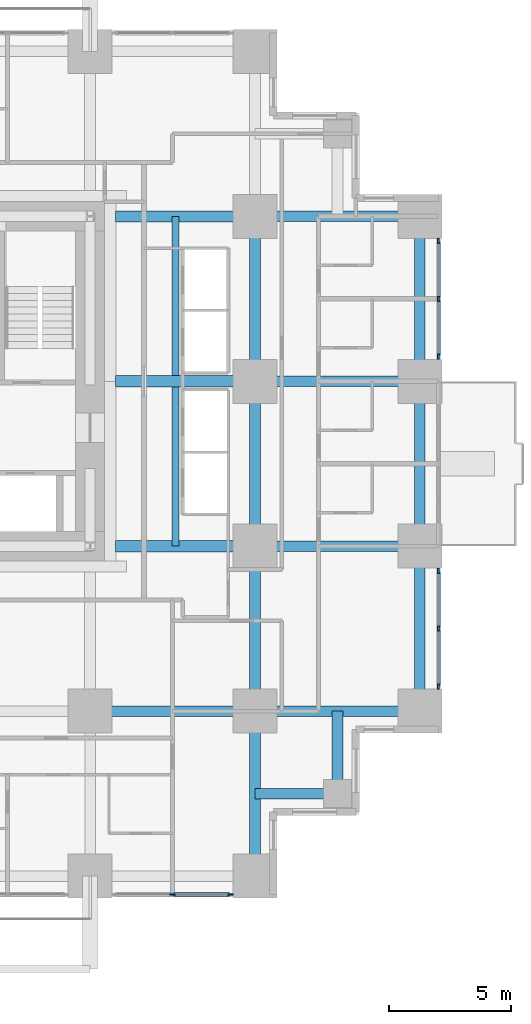
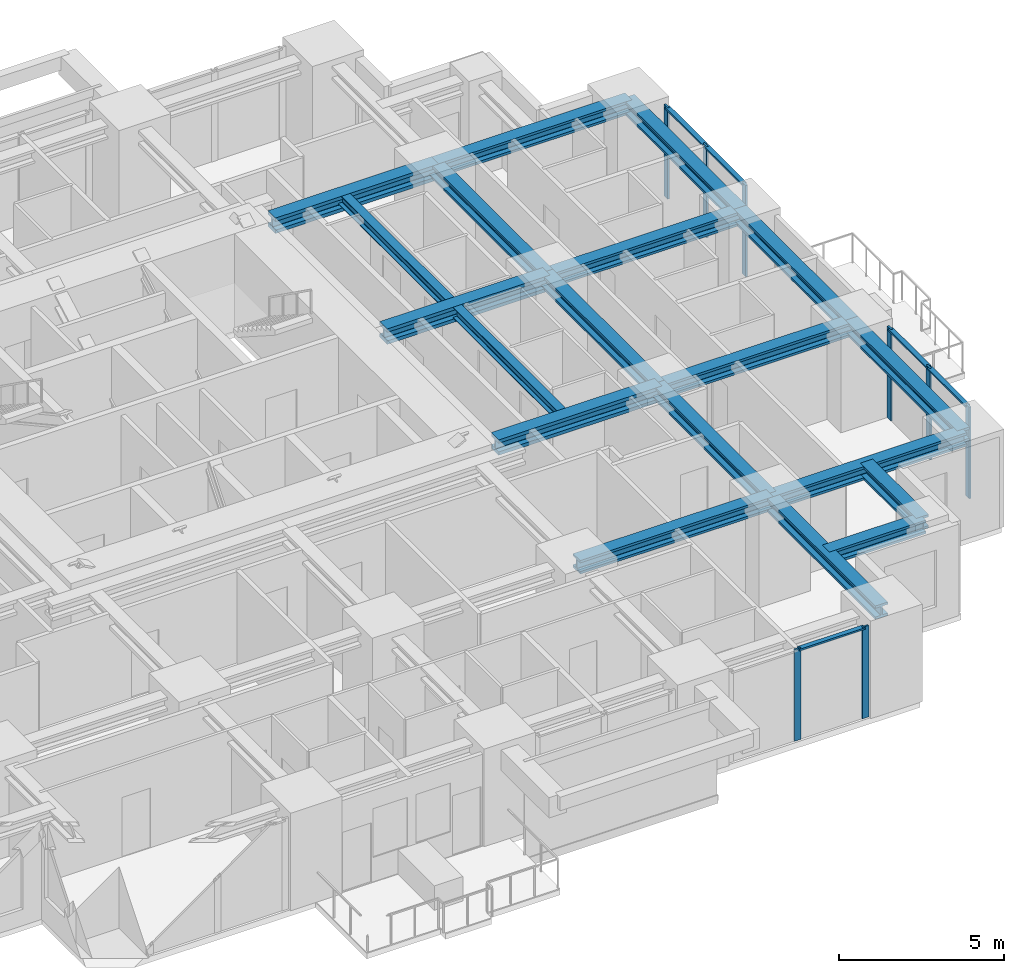
# One storey, part 4 of 13: 19 beams, 13 members, 3 elements without a shape of their own.
"""IFC4 building model written with IfcOpenShell, lengths in metres."""

from ifc_helpers import new_model, si_unit, direction, frame, origin, origin_2d, place, context, subcontext, project, spatial, rectangle, i_section, extrude, material, material_profile, profile_set, type_object, element, aggregate, save


model = new_model("IFC4")

# Units and contexts
model_context = context("Model", 3, precision=1e-05, world=origin(), true_north=direction((0.0, 1.0)))
body_context = subcontext(model_context, "Body", "Model", "MODEL_VIEW")
ifc_project = project(units=[si_unit("LENGTHUNIT", "METRE"), si_unit("AREAUNIT", "SQUARE_METRE"), si_unit("VOLUMEUNIT", "CUBIC_METRE"), si_unit("PLANEANGLEUNIT", "RADIAN"), si_unit("MASSUNIT", "GRAM", prefix="KILO")], contexts=[model_context])

# Site, building, storey
site_placement = place(None, origin())
site = spatial("IfcSite", under=ifc_project, at=site_placement, CompositionType="ELEMENT")
building_placement = place(site_placement, origin())
building = spatial("IfcBuilding", under=site, at=building_placement, Name="Nyansa Garden Tower", CompositionType="ELEMENT")
storey_placement = place(building_placement, frame((0.0, 0.0, 101.699951171875)))
storey = spatial("IfcBuildingStorey", under=building, at=storey_placement, Name="L27", CompositionType="ELEMENT", Elevation=101.699951171875)

# Curtain wall, members
ifc_material_1 = material(Name="Black anodised aluminium, dark tinted double glazing", Category="aluminium")
curtain_wall_type = type_object("IfcCurtainWallType", Name="Inner skin curtain wall ISW-B", PredefinedType="USERDEFINED", material=ifc_material_1)
curtain_wall_1_placement = place(storey_placement, origin())
curtain_wall_1 = element("IfcCurtainWall", 1, at=curtain_wall_1_placement, inside=storey, type_object=curtain_wall_type, Name="Inner skin curtain wall L27 E", ObjectType="UNITISED CURTAIN WALL", PredefinedType="USERDEFINED")
ifc_material_2 = material(Name="Black anodised aluminium", Category="aluminium")
ifc_material_profile_1 = material_profile(ifc_material_2, rectangle(XDim=0.06494140625, YDim=0.22509765625, at=origin_2d()), Name="Mullion 225x65")
ifc_profile_set_1 = profile_set([ifc_material_profile_1], Name="Black anodised aluminium")
member_type_1 = type_object("IfcMemberType", Name="Mullion ISW-B 225x65", PredefinedType="MULLION", material=ifc_profile_set_1)
member_1_placement = place(storey_placement, frame((41.25, 7.762451171875, 0.0), z_axis=(0.0, 0.0, 1.0), x_axis=(-1.0, 0.0, 0.0)))
member_1 = element("IfcMember", 2, at=member_1_placement, type_object=member_type_1, Name="ISW-B mullion 1", PredefinedType="MULLION", context=body_context, shape_type="SweptSolid", body=[
    extrude(rectangle(XDim=0.06494140625, YDim=0.22509765625, at=origin_2d()), origin(), (0.0, 0.0, 1.0), 3.375),
])
member_2_placement = place(storey_placement, frame((41.25, 10.125, 0.0), z_axis=(0.0, 0.0, 1.0), x_axis=(-1.0, 0.0, 0.0)))
member_2 = element("IfcMember", 3, at=member_2_placement, type_object=member_type_1, Name="ISW-B mullion 2", PredefinedType="MULLION", context=body_context, shape_type="SweptSolid", body=[
    extrude(rectangle(XDim=0.06494140625, YDim=0.22509765625, at=origin_2d()), origin(), (0.0, 0.0, 1.0), 3.375),
])
member_3_placement = place(storey_placement, frame((41.25, 12.487548828125, 0.0), z_axis=(0.0, 0.0, 1.0), x_axis=(-1.0, 0.0, 0.0)))
member_3 = element("IfcMember", 4, at=member_3_placement, type_object=member_type_1, Name="ISW-B mullion 3", PredefinedType="MULLION", context=body_context, shape_type="SweptSolid", body=[
    extrude(rectangle(XDim=0.06494140625, YDim=0.22509765625, at=origin_2d()), origin(), (0.0, 0.0, 1.0), 3.375),
])

curtain_wall_2_placement = place(storey_placement, origin())
curtain_wall_2 = element("IfcCurtainWall", 5, at=curtain_wall_2_placement, inside=storey, type_object=curtain_wall_type, Name="Inner skin curtain wall L27 E", ObjectType="UNITISED CURTAIN WALL", PredefinedType="USERDEFINED")
member_4_placement = place(storey_placement, frame((41.25, 21.262451171875, 0.0), z_axis=(0.0, 0.0, 1.0), x_axis=(-1.0, 0.0, 0.0)))
member_4 = element("IfcMember", 6, at=member_4_placement, type_object=member_type_1, Name="ISW-B mullion 1", PredefinedType="MULLION", context=body_context, shape_type="SweptSolid", body=[
    extrude(rectangle(XDim=0.06494140625, YDim=0.22509765625, at=origin_2d()), origin(), (0.0, 0.0, 1.0), 3.375),
])
member_5_placement = place(storey_placement, frame((41.25, 23.625, 0.0), z_axis=(0.0, 0.0, 1.0), x_axis=(-1.0, 0.0, 0.0)))
member_5 = element("IfcMember", 7, at=member_5_placement, type_object=member_type_1, Name="ISW-B mullion 2", PredefinedType="MULLION", context=body_context, shape_type="SweptSolid", body=[
    extrude(rectangle(XDim=0.06494140625, YDim=0.22509765625, at=origin_2d()), origin(), (0.0, 0.0, 1.0), 3.375),
])
member_6_placement = place(storey_placement, frame((41.25, 25.987548828125, 0.0), z_axis=(0.0, 0.0, 1.0), x_axis=(-1.0, 0.0, 0.0)))
member_6 = element("IfcMember", 8, at=member_6_placement, type_object=member_type_1, Name="ISW-B mullion 3", PredefinedType="MULLION", context=body_context, shape_type="SweptSolid", body=[
    extrude(rectangle(XDim=0.06494140625, YDim=0.22509765625, at=origin_2d()), origin(), (0.0, 0.0, 1.0), 3.375),
])

curtain_wall_3_placement = place(storey_placement, origin())
curtain_wall_3 = element("IfcCurtainWall", 9, at=curtain_wall_3_placement, inside=storey, type_object=curtain_wall_type, Name="Inner skin curtain wall L27 S", ObjectType="UNITISED CURTAIN WALL", PredefinedType="USERDEFINED")
member_7_placement = place(storey_placement, frame((30.375, -0.75, 0.0), z_axis=(0.0, 0.0, 1.0), x_axis=(0.0, 1.0, 0.0)))
member_7 = element("IfcMember", 10, at=member_7_placement, type_object=member_type_1, Name="ISW-B mullion 2", PredefinedType="MULLION", context=body_context, shape_type="SweptSolid", body=[
    extrude(rectangle(XDim=0.06494140625, YDim=0.22509765625, at=origin_2d()), origin(), (0.0, 0.0, 1.0), 3.375),
])
member_8_placement = place(storey_placement, frame((32.737548828125, -0.75, 0.0), z_axis=(0.0, 0.0, 1.0), x_axis=(0.0, 1.0, 0.0)))
member_8 = element("IfcMember", 11, at=member_8_placement, type_object=member_type_1, Name="ISW-B mullion 3", PredefinedType="MULLION", context=body_context, shape_type="SweptSolid", body=[
    extrude(rectangle(XDim=0.06494140625, YDim=0.22509765625, at=origin_2d()), origin(), (0.0, 0.0, 1.0), 3.375),
])

# Beams
ifc_material_3 = material(Name="Steel S355", Category="steel")
ifc_material_profile_2 = material_profile(ifc_material_3, i_section(OverallWidth=0.431884765625, OverallDepth=0.498046875, WebThickness=0.0556640625, FlangeThickness=0.0888671875, FilletRadius=0.014892578125, at=origin_2d()), Name="HD 400x744")
ifc_profile_set_2 = profile_set([ifc_material_profile_2], Name="Steel S355")
beam_type_1 = type_object("IfcBeamType", Name="Steel beam SBB1-744 HD 400x744", PredefinedType="BEAM", material=ifc_profile_set_2)
for number, where, z_axis, x_axis, name in (
    (12, (27.0, 6.75, 3.1259765625), (1.0, 0.0, 0.0), (0.0, 1.0, 0.0), "Steel beam 6/E-7/E L28"),
    (13, (33.75, 0.0, 3.1259765625), (0.0, 1.0, 0.0), (-1.0, 0.0, 0.0), "Steel beam 7/D-7/E L28"),
    (14, (33.75, 6.75, 3.1259765625), (0.0, 1.0, 0.0), (-1.0, 0.0, 0.0), "Steel beam 7/E-7/F L28"),
    (15, (33.75, 6.75, 3.1259765625), (1.0, 0.0, 0.0), (0.0, 1.0, 0.0), "Steel beam 7/E-8/E L28"),
    (16, (33.75, 13.5, 3.1259765625), (0.0, 1.0, 0.0), (-1.0, 0.0, 0.0), "Steel beam 7/F-7/G L28"),
    (17, (33.75, 13.5, 3.1259765625), (1.0, 0.0, 0.0), (0.0, 1.0, 0.0), "Steel beam 7/F-8/F L28"),
    (18, (33.75, 20.25, 3.1259765625), (0.0, 1.0, 0.0), (-1.0, 0.0, 0.0), "Steel beam 7/G-7/H L28"),
    (19, (33.75, 20.25, 3.1259765625), (1.0, 0.0, 0.0), (0.0, 1.0, 0.0), "Steel beam 7/G-8/G L28"),
    (20, (33.75, 27.0, 3.1259765625), (1.0, 0.0, 0.0), (0.0, 1.0, 0.0), "Steel beam 7/H-8/H L28"),
):
    element("IfcBeam", number, at=place(storey_placement, frame(where, z_axis=z_axis, x_axis=x_axis)), inside=storey, type_object=beam_type_1, Name=name, PredefinedType="BEAM", context=body_context, shape_type="SweptSolid", body=[
        extrude(i_section(OverallWidth=0.431884765625, OverallDepth=0.498046875, WebThickness=0.0556640625, FlangeThickness=0.0888671875, FilletRadius=0.014892578125, at=origin_2d()), origin(), (0.0, 0.0, 1.0), 6.75),
    ])
ifc_material_4 = material(Name="Steel S355", Category="steel")
ifc_material_profile_3 = material_profile(ifc_material_4, i_section(OverallWidth=0.4541015625, OverallDepth=0.569091796875, WebThickness=0.077880859375, FlangeThickness=0.125, FilletRadius=0.014892578125, at=origin_2d()), Name="HD 400x1086")
ifc_profile_set_3 = profile_set([ifc_material_profile_3], Name="Steel S355")
beam_type_2 = type_object("IfcBeamType", Name="Steel beam SCL-1086 HD 400x1086", PredefinedType="BEAM", material=ifc_profile_set_3)
for number, where, z_axis, x_axis, name in (
    (21, (28.050048828125, 13.5, 3.090576171875), (1.0, 0.0, 0.0), (0.0, 1.0, 0.0), "Steel beam 28.050/F-7/F L28"),
    (22, (28.050048828125, 20.25, 3.090576171875), (1.0, 0.0, 0.0), (0.0, 1.0, 0.0), "Steel beam 28.050/G-7/G L28"),
    (23, (28.050048828125, 27.0, 3.090576171875), (1.0, 0.0, 0.0), (0.0, 1.0, 0.0), "Steel beam 28.050/H-7/H L28"),
):
    element("IfcBeam", number, at=place(storey_placement, frame(where, z_axis=z_axis, x_axis=x_axis)), inside=storey, type_object=beam_type_2, Name=name, PredefinedType="BEAM", context=body_context, shape_type="SweptSolid", body=[
        extrude(i_section(OverallWidth=0.4541015625, OverallDepth=0.569091796875, WebThickness=0.077880859375, FlangeThickness=0.125, FilletRadius=0.014892578125, at=origin_2d()), origin(), (0.0, 0.0, 1.0), 5.699951171875),
    ])
ifc_material_5 = material(Name="Steel S355", Category="steel")
ifc_material_profile_4 = material_profile(ifc_material_5, i_section(OverallWidth=0.431884765625, OverallDepth=0.498046875, WebThickness=0.0556640625, FlangeThickness=0.0888671875, FilletRadius=0.014892578125, at=origin_2d()), Name="HD 400x744")
ifc_profile_set_4 = profile_set([ifc_material_profile_4], Name="Steel S355")
beam_type_3 = type_object("IfcBeamType", Name="Steel beam SEBB-744 HD 400x744", PredefinedType="BEAM", material=ifc_profile_set_4)
for number, where, z_axis, x_axis, name in (
    (24, (40.5, 6.75, 3.1259765625), (0.0, 1.0, 0.0), (-1.0, 0.0, 0.0), "Steel edge beam 8/E-8/F L28"),
    (25, (40.5, 13.5, 3.1259765625), (0.0, 1.0, 0.0), (-1.0, 0.0, 0.0), "Steel edge beam 8/F-8/G L28"),
    (26, (40.5, 20.25, 3.1259765625), (0.0, 1.0, 0.0), (-1.0, 0.0, 0.0), "Steel edge beam 8/G-8/H L28"),
):
    element("IfcBeam", number, at=place(storey_placement, frame(where, z_axis=z_axis, x_axis=x_axis)), inside=storey, type_object=beam_type_3, Name=name, PredefinedType="BEAM", context=body_context, shape_type="SweptSolid", body=[
        extrude(i_section(OverallWidth=0.431884765625, OverallDepth=0.498046875, WebThickness=0.0556640625, FlangeThickness=0.0888671875, FilletRadius=0.014892578125, at=origin_2d()), origin(), (0.0, 0.0, 1.0), 6.75),
    ])
ifc_material_6 = material(Name="Steel S355", Category="steel")
ifc_material_profile_5 = material_profile(ifc_material_6, i_section(OverallWidth=0.431884765625, OverallDepth=0.498046875, WebThickness=0.0556640625, FlangeThickness=0.0888671875, FilletRadius=0.014892578125, at=origin_2d()), Name="HD 400x744")
ifc_profile_set_5 = profile_set([ifc_material_profile_5], Name="Steel S355")
beam_type_4 = type_object("IfcBeamType", Name="Steel beam SSB1-744 HD 400x744", PredefinedType="BEAM", material=ifc_profile_set_5)
for number, where, z_axis, x_axis, name in (
    (27, (37.125, 3.375, 3.1259765625), (0.0, 1.0, 0.0), (-1.0, 0.0, 0.0), "Steel step beam 37.125/3.375 L28"),
    (28, (37.125, 3.375, 3.1259765625), (-1.0, 0.0, 0.0), (0.0, -1.0, 0.0), "Steel step beam 37.125/3.375 L28"),
):
    element("IfcBeam", number, at=place(storey_placement, frame(where, z_axis=z_axis, x_axis=x_axis)), inside=storey, type_object=beam_type_4, Name=name, PredefinedType="BEAM", context=body_context, shape_type="SweptSolid", body=[
        extrude(i_section(OverallWidth=0.431884765625, OverallDepth=0.498046875, WebThickness=0.0556640625, FlangeThickness=0.0888671875, FilletRadius=0.014892578125, at=origin_2d()), origin(), (0.0, 0.0, 1.0), 3.375),
    ])

# Member
ifc_material_7 = material(Name="Black anodised aluminium", Category="aluminium")
ifc_material_profile_6 = material_profile(ifc_material_7, rectangle(XDim=0.1650390625, YDim=0.06494140625, at=origin_2d()), Name="Transom 165x65")
ifc_profile_set_6 = profile_set([ifc_material_profile_6], Name="Black anodised aluminium")
member_type_2 = type_object("IfcMemberType", Name="Transom ISW-B 165x65", PredefinedType="USERDEFINED", material=ifc_profile_set_6)
member_9_placement = place(storey_placement, frame((41.25, 7.794921875, 3.342529296875), z_axis=(0.0, 1.0, 0.0), x_axis=(-1.0, 0.0, 0.0)))
member_9 = element("IfcMember", 29, at=member_9_placement, type_object=member_type_2, Name="ISW-B transom 1", ObjectType="TRANSOM", PredefinedType="USERDEFINED", context=body_context, shape_type="SweptSolid", body=[
    extrude(rectangle(XDim=0.1650390625, YDim=0.06494140625, at=origin_2d()), origin(), (0.0, 0.0, 1.0), 2.297607421875),
])

member_10_placement = place(storey_placement, frame((41.25, 10.157470703125, 3.342529296875), z_axis=(0.0, 1.0, 0.0), x_axis=(-1.0, 0.0, 0.0)))
member_10 = element("IfcMember", 30, at=member_10_placement, type_object=member_type_2, Name="ISW-B transom 2", ObjectType="TRANSOM", PredefinedType="USERDEFINED", context=body_context, shape_type="SweptSolid", body=[
    extrude(rectangle(XDim=0.1650390625, YDim=0.06494140625, at=origin_2d()), origin(), (0.0, 0.0, 1.0), 2.297607421875),
])

aggregate(curtain_wall_1, [member_1, member_2, member_3, member_9, member_10])

member_11_placement = place(storey_placement, frame((41.25, 21.294921875, 3.342529296875), z_axis=(0.0, 1.0, 0.0), x_axis=(-1.0, 0.0, 0.0)))
member_11 = element("IfcMember", 31, at=member_11_placement, type_object=member_type_2, Name="ISW-B transom 1", ObjectType="TRANSOM", PredefinedType="USERDEFINED", context=body_context, shape_type="SweptSolid", body=[
    extrude(rectangle(XDim=0.1650390625, YDim=0.06494140625, at=origin_2d()), origin(), (0.0, 0.0, 1.0), 2.297607421875),
])

member_12_placement = place(storey_placement, frame((41.25, 23.657470703125, 3.342529296875), z_axis=(0.0, 1.0, 0.0), x_axis=(-1.0, 0.0, 0.0)))
member_12 = element("IfcMember", 32, at=member_12_placement, type_object=member_type_2, Name="ISW-B transom 2", ObjectType="TRANSOM", PredefinedType="USERDEFINED", context=body_context, shape_type="SweptSolid", body=[
    extrude(rectangle(XDim=0.1650390625, YDim=0.06494140625, at=origin_2d()), origin(), (0.0, 0.0, 1.0), 2.297607421875),
])

aggregate(curtain_wall_2, [member_4, member_5, member_6, member_11, member_12])

member_13_placement = place(storey_placement, frame((30.407470703125, -0.75, 3.342529296875), z_axis=(1.0, 0.0, 0.0), x_axis=(0.0, 1.0, 0.0)))
member_13 = element("IfcMember", 33, at=member_13_placement, type_object=member_type_2, Name="ISW-B transom 2", ObjectType="TRANSOM", PredefinedType="USERDEFINED", context=body_context, shape_type="SweptSolid", body=[
    extrude(rectangle(XDim=0.1650390625, YDim=0.06494140625, at=origin_2d()), origin(), (0.0, 0.0, 1.0), 2.297607421875),
])

aggregate(curtain_wall_3, [member_7, member_8, member_13])

# Beams
ifc_material_8 = material(Name="Steel S355", Category="steel")
ifc_material_profile_7 = material_profile(ifc_material_8, i_section(OverallWidth=0.300048828125, OverallDepth=0.39990234375, WebThickness=0.013427734375, FlangeThickness=0.02392578125, FilletRadius=0.027099609375, at=origin_2d()), Name="HE 400 B")
ifc_profile_set_7 = profile_set([ifc_material_profile_7], Name="Steel S355")
beam_type_5 = type_object("IfcBeamType", Name="Trimmer beam TR1 HE 400 B", PredefinedType="BEAM", material=ifc_profile_set_7)
for number, where, z_axis, x_axis, name in (
    (34, (30.5, 13.5, 3.175048828125), (0.0, 1.0, 0.0), (-1.0, 0.0, 0.0), "Trimmer beam 1 L28"),
    (35, (30.5, 20.47705078125, 3.175048828125), (0.0, 1.0, 0.0), (-1.0, 0.0, 0.0), "Trimmer beam 2 L28"),
):
    element("IfcBeam", number, at=place(storey_placement, frame(where, z_axis=z_axis, x_axis=x_axis)), inside=storey, type_object=beam_type_5, Name=name, PredefinedType="BEAM", context=body_context, shape_type="SweptSolid", body=[
        extrude(i_section(OverallWidth=0.300048828125, OverallDepth=0.39990234375, WebThickness=0.013427734375, FlangeThickness=0.02392578125, FilletRadius=0.027099609375, at=origin_2d()), origin(), (0.0, 0.0, 1.0), 6.52294921875),
    ])

save(model, "model.ifc")
